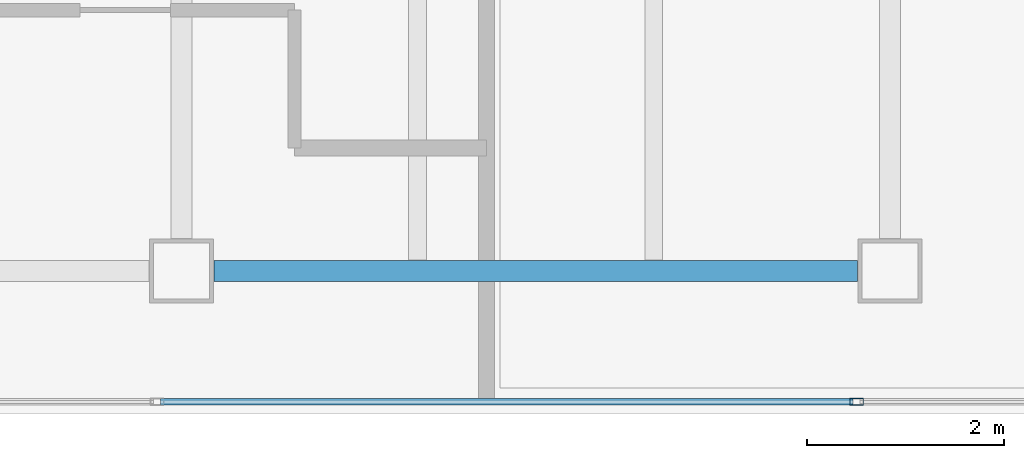
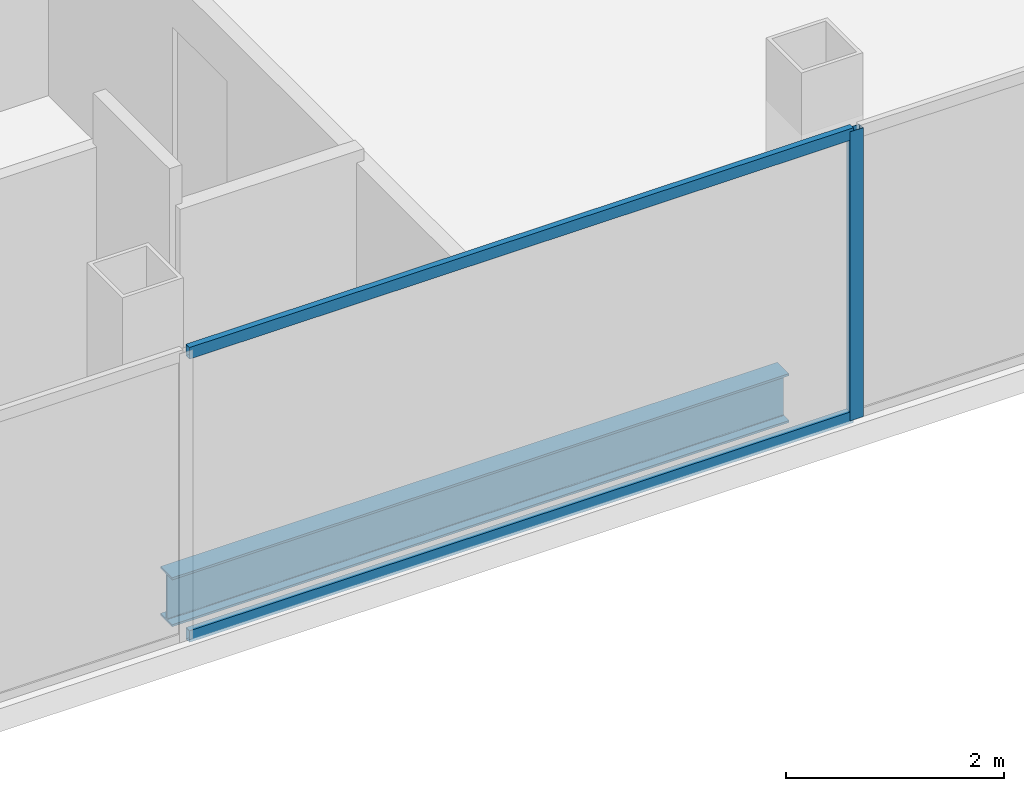
# One storey, part 12 of 23: 3 members, 1 beam, 1 element without a shape of its own.
"""IFC4 building model written with IfcOpenShell, lengths in metres."""

from ifc_helpers import new_model, si_unit, direction, frame, origin, origin_2d, place, context, subcontext, project, spatial, hollow_rectangle, i_section, extrude, material, material_profile, profile_set, type_object, element, aggregate, save


model = new_model("IFC4")

# Units and contexts
model_context = context("Model", 3, precision=1e-05, world=origin(), true_north=direction((0.0, 1.0)))
body_context = subcontext(model_context, "Body", "Model", "MODEL_VIEW")
ifc_project = project(units=[si_unit("LENGTHUNIT", "METRE"), si_unit("AREAUNIT", "SQUARE_METRE"), si_unit("VOLUMEUNIT", "CUBIC_METRE"), si_unit("PLANEANGLEUNIT", "RADIAN"), si_unit("MASSUNIT", "GRAM", prefix="KILO")], contexts=[model_context])

# Site, building, storey
site_placement = place(None, origin())
site = spatial("IfcSite", under=ifc_project, at=site_placement, CompositionType="ELEMENT")
building_placement = place(site_placement, origin())
building = spatial("IfcBuilding", under=site, at=building_placement, Name="Cobrela Telecom Tower", CompositionType="ELEMENT")
storey_placement = place(building_placement, frame((0.0, 0.0, 286.64990234375)))
storey = spatial("IfcBuildingStorey", under=building, at=storey_placement, Name="L75", CompositionType="ELEMENT", Elevation=286.64990234375)

# Beam
ifc_material_1 = material(Name="Steel ASTM A992 Grade 50", Category="steel")
ifc_material_profile_1 = material_profile(ifc_material_1, i_section(OverallWidth=0.212890625, OverallDepth=0.549072265625, WebThickness=0.0146484375, FlangeThickness=0.023681640625, FilletRadius=0.013916015625, at=origin_2d()), Name="W21X93")
ifc_profile_set_1 = profile_set([ifc_material_profile_1], Name="Steel ASTM A992 Grade 50")
beam_type = type_object("IfcBeamType", Name="BM-GIRD-08", PredefinedType="USERDEFINED", material=ifc_profile_set_1)
beam_placement = place(storey_placement, frame((29.1298828125, 7.85009765625, -0.534423828125), z_axis=(1.0, 0.0, 0.0), x_axis=(0.0, 1.0, 0.0)))
element("IfcBeam", 1, at=beam_placement, inside=storey, type_object=beam_type, Name="L75 Primary Girder X04", ObjectType="GIRDER", PredefinedType="USERDEFINED", context=body_context, shape_type="SweptSolid", body=[
    extrude(i_section(OverallWidth=0.212890625, OverallDepth=0.549072265625, WebThickness=0.0146484375, FlangeThickness=0.023681640625, FilletRadius=0.013916015625, at=origin_2d()), origin(), (0.0, 0.0, 1.0), 6.5400390625),
])

# Curtain wall, members
ifc_material_2 = material(Name="Anodized Bronze Aluminium 6063-T6", Category="aluminium")
curtain_wall_type = type_object("IfcCurtainWallType", Name="CW-SYS-OFF-HI", PredefinedType="USERDEFINED", material=ifc_material_2)
curtain_wall_placement = place(storey_placement, origin())
curtain_wall = element("IfcCurtainWall", 2, at=curtain_wall_placement, inside=storey, type_object=curtain_wall_type, Name="L75 Unitised Bronze Curtain Wall 15", ObjectType="UNITISED CURTAIN WALL", PredefinedType="USERDEFINED")
ifc_material_profile_2 = material_profile(ifc_material_2, hollow_rectangle(XDim=0.070068359375, YDim=0.139892578125, WallThickness=0.00390625, at=origin_2d()), Name="ALU 70x140x4")
ifc_profile_set_2 = profile_set([ifc_material_profile_2], Name="Anodized Bronze Aluminium 6063-T6")
member_type_1 = type_object("IfcMemberType", Name="CW-SYS-OFF-HI-MUL", PredefinedType="MULLION", material=ifc_profile_set_2)
member_1_placement = place(storey_placement, frame((35.66162109375, 6.52001953125, 0.0), z_axis=(0.0, 0.0, 1.0), x_axis=(0.0, -1.0, 0.0)))
member_1 = element("IfcMember", 3, at=member_1_placement, type_object=member_type_1, Name="CW-OFF-HI mullion 2", PredefinedType="MULLION", context=body_context, shape_type="SweptSolid", body=[
    extrude(hollow_rectangle(XDim=0.070068359375, YDim=0.139892578125, WallThickness=0.00390625, at=origin_2d()), origin(), (0.0, 0.0, 1.0), 3.239990234375),
])
ifc_material_profile_3 = material_profile(ifc_material_2, hollow_rectangle(XDim=0.06494140625, YDim=0.1298828125, WallThickness=0.00390625, at=origin_2d()), Name="ALU 65x130x4")
ifc_profile_set_3 = profile_set([ifc_material_profile_3], Name="Anodized Bronze Aluminium 6063-T6")
member_type_2 = type_object("IfcMemberType", Name="CW-SYS-OFF-HI-TRN", PredefinedType="USERDEFINED", material=ifc_profile_set_3)
member_2_placement = place(storey_placement, frame((35.626708984375, 6.52001953125, 0.03271484375), z_axis=(-1.0, 0.0, 0.0), x_axis=(0.0, -1.0, 0.0)))
member_2 = element("IfcMember", 4, at=member_2_placement, type_object=member_type_2, Name="CW-OFF-HI transom 2.1", ObjectType="TRANSOM", PredefinedType="USERDEFINED", context=body_context, shape_type="SweptSolid", body=[
    extrude(hollow_rectangle(XDim=0.06494140625, YDim=0.1298828125, WallThickness=0.00390625, at=origin_2d()), origin(), (0.0, 0.0, 1.0), 7.038330078125),
])
member_3_placement = place(storey_placement, frame((35.626708984375, 6.52001953125, 3.20751953125), z_axis=(-1.0, 0.0, 0.0), x_axis=(0.0, -1.0, 0.0)))
member_3 = element("IfcMember", 5, at=member_3_placement, type_object=member_type_2, Name="CW-OFF-HI transom 2.2", ObjectType="TRANSOM", PredefinedType="USERDEFINED", context=body_context, shape_type="SweptSolid", body=[
    extrude(hollow_rectangle(XDim=0.06494140625, YDim=0.1298828125, WallThickness=0.00390625, at=origin_2d()), origin(), (0.0, 0.0, 1.0), 7.038330078125),
])
aggregate(curtain_wall, [member_1, member_2, member_3])

save(model, "model.ifc")
